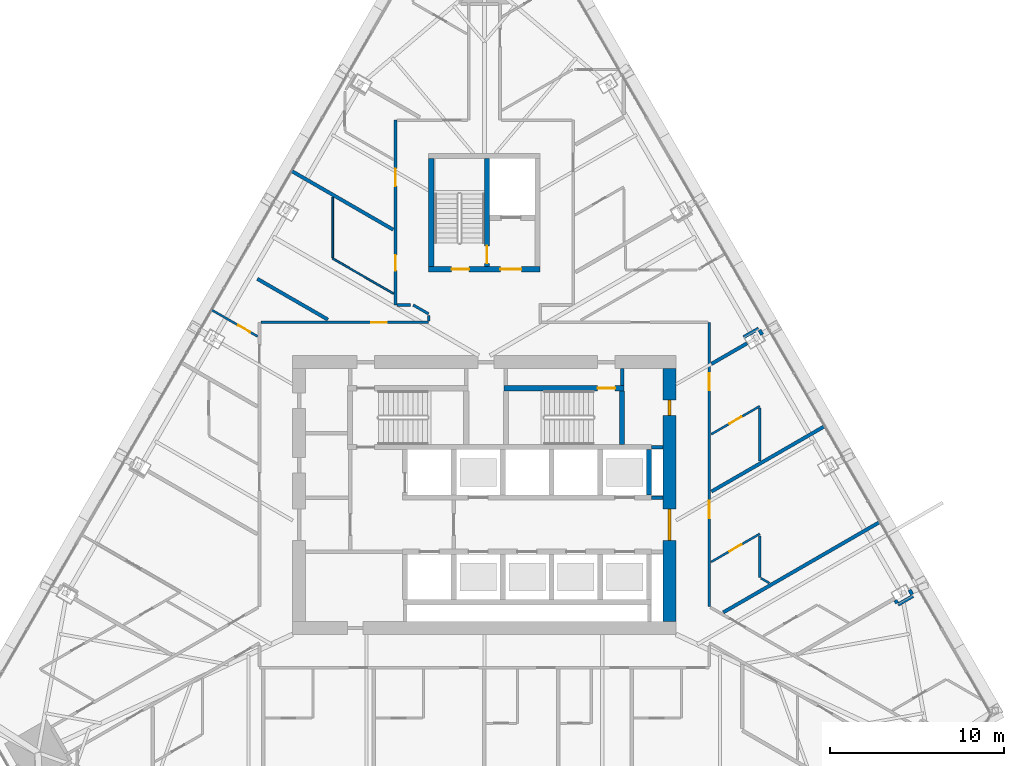
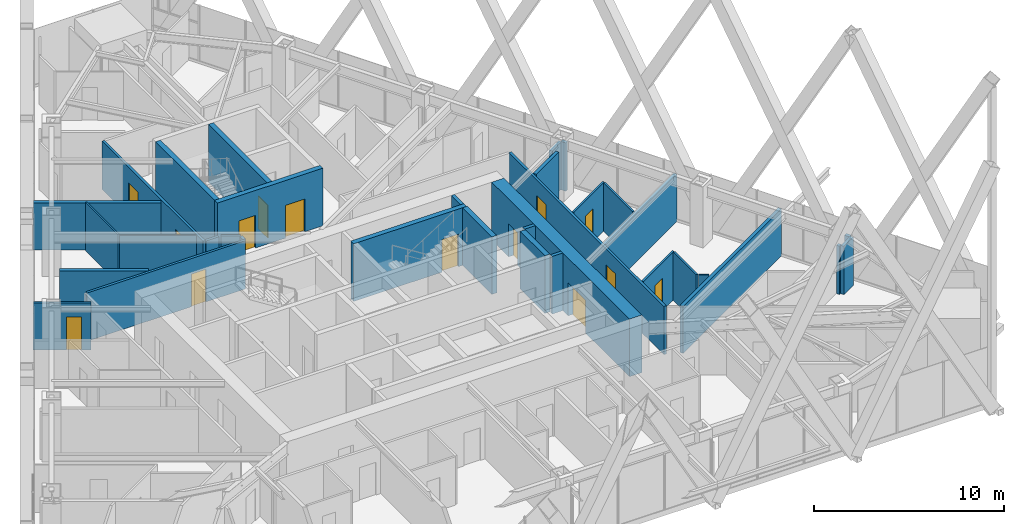
# One storey, part 15 of 19: 34 walls, 14 doors, 14 openings.
"""IFC4 building model written with IfcOpenShell, lengths in metres."""

from ifc_helpers import new_model, si_unit, direction, frame, frame_2d, origin, place, context, subcontext, project, spatial, rectangle, extrude, material, layer, layer_set, type_object, element, fill, save


model = new_model("IFC4")

# Units and contexts
model_context = context("Model", 3, precision=1e-05, world=origin(), true_north=direction((0.0, 1.0)))
body_context = subcontext(model_context, "Body", "Model", "MODEL_VIEW")
ifc_project = project(units=[si_unit("LENGTHUNIT", "METRE"), si_unit("AREAUNIT", "SQUARE_METRE"), si_unit("VOLUMEUNIT", "CUBIC_METRE"), si_unit("PLANEANGLEUNIT", "RADIAN"), si_unit("MASSUNIT", "GRAM", prefix="KILO")], contexts=[model_context])

# Site, building, storey
site_placement = place(None, origin())
site = spatial("IfcSite", under=ifc_project, at=site_placement, CompositionType="ELEMENT")
building_placement = place(site_placement, origin())
building = spatial("IfcBuilding", under=site, at=building_placement, Name="Firuza Gate Tower and Library", CompositionType="ELEMENT")
storey_placement = place(building_placement, frame((0.0, 0.0, 218.199951171875)))
storey = spatial("IfcBuildingStorey", under=building, at=storey_placement, Name="L51", CompositionType="ELEMENT", Elevation=218.199951171875)

# Walls
ifc_material_1 = material(Name="Plasterboard on steel studs", Category="steel")
ifc_layer_1 = layer(ifc_material_1, 0.199951171875)
ifc_layer_set_1 = layer_set([ifc_layer_1], Name="Core partition 200 EI 120")
wall_type_1 = type_object("IfcWallType", Name="Core partition 200 EI 120", PredefinedType="PARTITIONING", material=ifc_layer_set_1)
for number, where, z_axis, x_axis, name in (
    (1, (84.60009765625, 74.85009765625, 0.0), (0.0, 0.0, 1.0), (1.0, 0.0, 0.0), "Core partition L51 4"),
    (2, (84.60009765625, 77.75, 0.0), (0.0, 0.0, 1.0), (1.0, 0.0, 0.0), "Core partition L51 5"),
):
    element("IfcWall", number, at=place(storey_placement, frame(where, z_axis=z_axis, x_axis=x_axis)), inside=storey, type_object=wall_type_1, Name=name, PredefinedType="PARTITIONING", context=body_context, shape_type="SweptSolid", body=[
        extrude(rectangle(XDim=0.64990234375, YDim=0.199951171875, at=frame_2d((0.324951171875, 0.0))), origin(), (0.0, 0.0, 1.0), 3.699951171875),
    ])
ifc_material_2 = material(Name="Plasterboard on steel studs", Category="steel")
ifc_layer_2 = layer(ifc_material_2, 0.199951171875)
ifc_layer_set_2 = layer_set([ifc_layer_2], Name="Core partition 200 EI 60")
wall_type_2 = type_object("IfcWallType", Name="Core partition 200 EI 60", PredefinedType="PARTITIONING", material=ifc_layer_set_2)
wall_1_placement = place(storey_placement, frame((82.89990234375, 81.280029296875, 0.0), z_axis=(0.0, 0.0, 1.0), x_axis=(0.0, 1.0, 0.0)))
element("IfcWall", 3, at=wall_1_placement, inside=storey, type_object=wall_type_2, Name="Core partition L51 13", PredefinedType="PARTITIONING", context=body_context, shape_type="SweptSolid", body=[
    extrude(rectangle(XDim=0.969970703125, YDim=0.199951171875, at=frame_2d((0.48486328125, 0.0))), origin(), (0.0, 0.0, 1.0), 3.699951171875),
])
ifc_material_3 = material(Name="Concrete C80/95", Category="concrete")
ifc_layer_3 = layer(ifc_material_3, 0.300048828125)
ifc_layer_set_3 = layer_set([ifc_layer_3], Name="Core wall 300 C80/95")
wall_type_3 = type_object("IfcWallType", Name="Core wall 300 C80/95", PredefinedType="SHEAR", material=ifc_layer_set_3)
wall_2_placement = place(storey_placement, frame((84.449951171875, 75.0, 0.0), z_axis=(0.0, 0.0, 1.0), x_axis=(0.0, 1.0, 0.0)))
element("IfcWall", 4, at=wall_2_placement, inside=storey, type_object=wall_type_3, Name="Core wall L51 19", PredefinedType="SHEAR", context=body_context, shape_type="SweptSolid", body=[
    extrude(rectangle(XDim=2.60009765625, YDim=0.300048828125, at=frame_2d((1.300048828125, 0.0))), origin(), (0.0, 0.0, 1.0), 3.699951171875),
])

# Wall, opening, door
wall_3_placement = place(storey_placement, frame((76.139892578125, 81.1298828125, 0.0), z_axis=(0.0, 0.0, 1.0), x_axis=(1.0, 0.0, 0.0)))
wall_3 = element("IfcWall", 5, at=wall_3_placement, inside=storey, type_object=wall_type_3, Name="Core wall L51 22", PredefinedType="SHEAR", context=body_context, shape_type="SweptSolid", body=[
    extrude(rectangle(XDim=6.860107421875, YDim=0.300048828125, at=frame_2d((3.43017578125, 0.0))), origin(), (0.0, 0.0, 1.0), 3.699951171875),
])
opening_1_placement = place(wall_3_placement, frame((5.364990234375, 0.0, 0.0)))
opening_1 = element("IfcOpeningElement", 6, at=opening_1_placement, cuts=wall_3, Name="Opening L51-K13", PredefinedType="OPENING", context=body_context, shape_type="SweptSolid", body=[
    extrude(rectangle(XDim=1.0, YDim=2.10009765625, at=frame_2d((0.5, 1.050048828125))), frame((0.0, 0.16015625, 0.0), z_axis=(0.0, -1.0, 0.0), x_axis=(1.0, 0.0, 0.0)), (0.0, 0.0, 1.0), 0.320068359375),
])
ifc_material_4 = material(Name="Steel", Category="steel")
door_type_1 = type_object("IfcDoorType", Name="Fire door 1000x2100 FD90", OperationType="NOTDEFINED", PredefinedType="DOOR", material=ifc_material_4)
door_1_placement = place(opening_1_placement, origin())
door_1 = element("IfcDoor", 7, at=door_1_placement, inside=storey, type_object=door_type_1, Name="Door L51-K13", OperationType="SINGLE_SWING_RIGHT", OverallHeight=2.10009765625, OverallWidth=1.0, PredefinedType="DOOR", context=body_context, shape_type="SweptSolid", body=[
    extrude(rectangle(XDim=1.0, YDim=2.10009765625, at=frame_2d((0.5, 1.050048828125))), frame((0.0, 0.02490234375, 0.0), z_axis=(0.0, -1.0, 0.0), x_axis=(1.0, 0.0, 0.0)), (0.0, 0.0, 1.0), 0.050048828125),
])
fill(opening_1, door_1)

# Wall
wall_4_placement = place(storey_placement, frame((82.89990234375, 77.89990234375, 0.0), z_axis=(0.0, 0.0, 1.0), x_axis=(0.0, 1.0, 0.0)))
element("IfcWall", 8, at=wall_4_placement, inside=storey, type_object=wall_type_3, Name="Core wall L51 26", PredefinedType="SHEAR", context=body_context, shape_type="SweptSolid", body=[
    extrude(rectangle(XDim=3.080078125, YDim=0.300048828125, at=frame_2d((1.5400390625, 0.0))), origin(), (0.0, 0.0, 1.0), 3.699951171875),
])

# Wall, openings, doors
wall_5_placement = place(storey_placement, frame((71.800048828125, 87.949951171875, 0.0), z_axis=(0.0, 0.0, 1.0), x_axis=(1.0, 0.0, 0.0)))
wall_5 = element("IfcWall", 9, at=wall_5_placement, inside=storey, type_object=wall_type_3, Name="Core wall L51 27", PredefinedType="SHEAR", context=body_context, shape_type="SweptSolid", body=[
    extrude(rectangle(XDim=6.39990234375, YDim=0.300048828125, at=frame_2d((3.199951171875, 0.0))), origin(), (0.0, 0.0, 1.0), 3.699951171875),
])
opening_2_placement = place(wall_5_placement, frame((1.324951171875, 0.0, 0.0)))
opening_2 = element("IfcOpeningElement", 10, at=opening_2_placement, cuts=wall_5, Name="Opening L51-K15", PredefinedType="OPENING", context=body_context, shape_type="SweptSolid", body=[
    extrude(rectangle(XDim=1.0, YDim=2.10009765625, at=frame_2d((0.5, 1.050048828125))), frame((0.0, 0.16015625, 0.0), z_axis=(0.0, -1.0, 0.0), x_axis=(1.0, 0.0, 0.0)), (0.0, 0.0, 1.0), 0.320068359375),
])
opening_3_placement = place(wall_5_placement, frame((4.125, 0.0, 0.0)))
opening_3 = element("IfcOpeningElement", 11, at=opening_3_placement, cuts=wall_5, Name="Opening L51-K17", PredefinedType="OPENING", context=body_context, shape_type="SweptSolid", body=[
    extrude(rectangle(XDim=1.199951171875, YDim=2.10009765625, at=frame_2d((0.60009765625, 1.050048828125))), frame((0.0, 0.16015625, 0.0), z_axis=(0.0, -1.0, 0.0), x_axis=(1.0, 0.0, 0.0)), (0.0, 0.0, 1.0), 0.320068359375),
])
door_2_placement = place(opening_2_placement, origin())
door_2 = element("IfcDoor", 12, at=door_2_placement, inside=storey, type_object=door_type_1, Name="Door L51-K15", OperationType="SINGLE_SWING_RIGHT", OverallHeight=2.10009765625, OverallWidth=1.0, PredefinedType="DOOR", context=body_context, shape_type="SweptSolid", body=[
    extrude(rectangle(XDim=1.0, YDim=2.10009765625, at=frame_2d((0.5, 1.050048828125))), frame((0.0, 0.02490234375, 0.0), z_axis=(0.0, -1.0, 0.0), x_axis=(1.0, 0.0, 0.0)), (0.0, 0.0, 1.0), 0.050048828125),
])
fill(opening_2, door_2)
ifc_material_5 = material(Name="Steel", Category="steel")
door_type_2 = type_object("IfcDoorType", Name="Fire door 1200x2100 FD30S", OperationType="NOTDEFINED", PredefinedType="DOOR", material=ifc_material_5)
door_3_placement = place(opening_3_placement, origin())
door_3 = element("IfcDoor", 13, at=door_3_placement, inside=storey, type_object=door_type_2, Name="Door L51-K17", OperationType="SINGLE_SWING_RIGHT", OverallHeight=2.10009765625, OverallWidth=1.199951171875, PredefinedType="DOOR", context=body_context, shape_type="SweptSolid", body=[
    extrude(rectangle(XDim=1.199951171875, YDim=2.10009765625, at=frame_2d((0.60009765625, 1.050048828125))), frame((0.0, 0.02490234375, 0.0), z_axis=(0.0, -1.0, 0.0), x_axis=(1.0, 0.0, 0.0)), (0.0, 0.0, 1.0), 0.050048828125),
])
fill(opening_3, door_3)

# Wall
wall_6_placement = place(storey_placement, frame((71.949951171875, 88.10009765625, 0.0), z_axis=(0.0, 0.0, 1.0), x_axis=(0.0, 1.0, 0.0)))
element("IfcWall", 14, at=wall_6_placement, inside=storey, type_object=wall_type_3, Name="Core wall L51 29", PredefinedType="SHEAR", context=body_context, shape_type="SweptSolid", body=[
    extrude(rectangle(XDim=6.199951171875, YDim=0.300048828125, at=frame_2d((3.10009765625, 0.0))), origin(), (0.0, 0.0, 1.0), 3.699951171875),
])

# Wall, opening, door
wall_7_placement = place(storey_placement, frame((75.14990234375, 88.10009765625, 0.0), z_axis=(0.0, 0.0, 1.0), x_axis=(0.0, 1.0, 0.0)))
wall_7 = element("IfcWall", 15, at=wall_7_placement, inside=storey, type_object=wall_type_3, Name="Core wall L51 32", PredefinedType="SHEAR", context=body_context, shape_type="SweptSolid", body=[
    extrude(rectangle(XDim=6.199951171875, YDim=0.300048828125, at=frame_2d((3.10009765625, 0.0))), origin(), (0.0, 0.0, 1.0), 3.699951171875),
])
opening_4_placement = place(wall_7_placement, frame((0.18505859375, 0.0, 0.0)))
opening_4 = element("IfcOpeningElement", 16, at=opening_4_placement, cuts=wall_7, Name="Opening L51-K16", PredefinedType="OPENING", context=body_context, shape_type="SweptSolid", body=[
    extrude(rectangle(XDim=1.0, YDim=2.10009765625, at=frame_2d((0.5, 1.050048828125))), frame((0.0, 0.16015625, 0.0), z_axis=(0.0, -1.0, 0.0), x_axis=(1.0, 0.0, 0.0)), (0.0, 0.0, 1.0), 0.320068359375),
])
door_4_placement = place(opening_4_placement, origin())
door_4 = element("IfcDoor", 17, at=door_4_placement, inside=storey, type_object=door_type_1, Name="Door L51-K16", OperationType="SINGLE_SWING_LEFT", OverallHeight=2.10009765625, OverallWidth=1.0, PredefinedType="DOOR", context=body_context, shape_type="SweptSolid", body=[
    extrude(rectangle(XDim=1.0, YDim=2.10009765625, at=frame_2d((0.5, 1.050048828125))), frame((0.0, 0.02490234375, 0.0), z_axis=(0.0, -1.0, 0.0), x_axis=(1.0, 0.0, 0.0)), (0.0, 0.0, 1.0), 0.050048828125),
])
fill(opening_4, door_4)

# Wall, openings, doors
ifc_material_6 = material(Name="Concrete C80/95", Category="concrete")
ifc_layer_4 = layer(ifc_material_6, 0.75)
ifc_layer_set_4 = layer_set([ifc_layer_4], Name="Core wall 750 C80/95")
wall_type_4 = type_object("IfcWallType", Name="Core wall 750 C80/95", PredefinedType="SHEAR", material=ifc_layer_set_4)
wall_8_placement = place(storey_placement, frame((85.625, 67.75, 0.0), z_axis=(0.0, 0.0, 1.0), x_axis=(0.0, 1.0, 0.0)))
wall_8 = element("IfcWall", 18, at=wall_8_placement, inside=storey, type_object=wall_type_4, Name="Core wall L51 4", PredefinedType="SHEAR", context=body_context, shape_type="SweptSolid", body=[
    extrude(rectangle(XDim=14.5, YDim=0.75, at=frame_2d((7.25, 0.0))), origin(), (0.0, 0.0, 1.0), 3.699951171875),
])
opening_5_placement = place(wall_8_placement, frame((4.64990234375, 0.0, 0.0)))
opening_5 = element("IfcOpeningElement", 19, at=opening_5_placement, cuts=wall_8, Name="Opening L51-K21", PredefinedType="OPENING", context=body_context, shape_type="SweptSolid", body=[
    extrude(rectangle(XDim=1.800048828125, YDim=2.10009765625, at=frame_2d((0.89990234375, 1.050048828125))), frame((0.0, 0.385009765625, 0.0), z_axis=(0.0, -1.0, 0.0), x_axis=(1.0, 0.0, 0.0)), (0.0, 0.0, 1.0), 0.77001953125),
])
opening_6_placement = place(wall_8_placement, frame((11.800048828125, 0.0, 0.0)))
opening_6 = element("IfcOpeningElement", 20, at=opening_6_placement, cuts=wall_8, Name="Opening L51-K26", PredefinedType="OPENING", context=body_context, shape_type="SweptSolid", body=[
    extrude(rectangle(XDim=0.89990234375, YDim=2.10009765625, at=frame_2d((0.449951171875, 1.050048828125))), frame((0.0, 0.385009765625, 0.0), z_axis=(0.0, -1.0, 0.0), x_axis=(1.0, 0.0, 0.0)), (0.0, 0.0, 1.0), 0.77001953125),
])
ifc_material_7 = material(Name="Steel", Category="steel")
door_type_3 = type_object("IfcDoorType", Name="Fire door 1800x2100 FD30S", OperationType="NOTDEFINED", PredefinedType="DOOR", material=ifc_material_7)
door_5_placement = place(opening_5_placement, origin())
door_5 = element("IfcDoor", 21, at=door_5_placement, inside=storey, type_object=door_type_3, Name="Door L51-K21", OperationType="SINGLE_SWING_RIGHT", OverallHeight=2.10009765625, OverallWidth=1.800048828125, PredefinedType="DOOR", context=body_context, shape_type="SweptSolid", body=[
    extrude(rectangle(XDim=1.800048828125, YDim=2.10009765625, at=frame_2d((0.89990234375, 1.050048828125))), frame((0.0, 0.094970703125, 0.0), z_axis=(0.0, -1.0, 0.0), x_axis=(1.0, 0.0, 0.0)), (0.0, 0.0, 1.0), 0.18994140625),
])
fill(opening_5, door_5)
ifc_material_8 = material(Name="Steel", Category="steel")
door_type_4 = type_object("IfcDoorType", Name="Fire door 900x2100 FD30S", OperationType="NOTDEFINED", PredefinedType="DOOR", material=ifc_material_8)
door_6_placement = place(opening_6_placement, origin())
door_6 = element("IfcDoor", 22, at=door_6_placement, inside=storey, type_object=door_type_4, Name="Door L51-K26", OperationType="SINGLE_SWING_LEFT", OverallHeight=2.10009765625, OverallWidth=0.89990234375, PredefinedType="DOOR", context=body_context, shape_type="SweptSolid", body=[
    extrude(rectangle(XDim=0.89990234375, YDim=2.10009765625, at=frame_2d((0.449951171875, 1.050048828125))), frame((0.0, 0.094970703125, 0.0), z_axis=(0.0, -1.0, 0.0), x_axis=(1.0, 0.0, 0.0)), (0.0, 0.0, 1.0), 0.18994140625),
])
fill(opening_6, door_6)

# Wall, opening, door
ifc_material_9 = material(Name="Gypsum board partition")
ifc_layer_5 = layer(ifc_material_9, 0.14990234375)
ifc_layer_set_5 = layer_set([ifc_layer_5], Name="Corridor wall 150 double board on steel studs")
wall_type_5 = type_object("IfcWallType", Name="Corridor wall 150 double board on steel studs", PredefinedType="PARTITIONING", material=ifc_layer_set_5)
wall_9_placement = place(storey_placement, frame((62.175048828125, 84.89990234375, 0.0), z_axis=(0.0, 0.0, 1.0), x_axis=(1.0, 0.0, 0.0)))
wall_9 = element("IfcWall", 23, at=wall_9_placement, inside=storey, type_object=wall_type_5, Name="f:L51:w009", PredefinedType="PARTITIONING", context=body_context, shape_type="SweptSolid", body=[
    extrude(rectangle(XDim=9.625, YDim=0.14990234375, at=frame_2d((4.8125, 0.0))), origin(), (0.0, 0.0, 1.0), 3.09716796875),
])
opening_7_placement = place(wall_9_placement, frame((6.326171875, 0.0, 0.0)))
opening_7 = element("IfcOpeningElement", 24, at=opening_7_placement, cuts=wall_9, Name="Opening L51-11", PredefinedType="OPENING", context=body_context, shape_type="SweptSolid", body=[
    extrude(rectangle(XDim=0.89990234375, YDim=2.10009765625, at=frame_2d((0.449951171875, 1.050048828125))), frame((0.0, 0.0849609375, 0.0), z_axis=(0.0, -1.0, 0.0), x_axis=(1.0, 0.0, 0.0)), (0.0, 0.0, 1.0), 0.169921875),
])
ifc_material_10 = material(Name="Steel door and timber leaf", Category="steel")
door_type_5 = type_object("IfcDoorType", Name="Fire door 900 x 2100 steel frame, timber leaf", OperationType="NOTDEFINED", PredefinedType="DOOR", material=ifc_material_10)
door_7_placement = place(opening_7_placement, origin())
door_7 = element("IfcDoor", 25, at=door_7_placement, inside=storey, type_object=door_type_5, Name="f:L51:d011", OperationType="SINGLE_SWING_LEFT", OverallHeight=2.10009765625, OverallWidth=0.89990234375, PredefinedType="DOOR", context=body_context, shape_type="SweptSolid", body=[
    extrude(rectangle(XDim=0.89990234375, YDim=2.10009765625, at=frame_2d((0.449951171875, 1.050048828125))), frame((0.0, 0.02490234375, 0.0), z_axis=(0.0, -1.0, 0.0), x_axis=(1.0, 0.0, 0.0)), (0.0, 0.0, 1.0), 0.050048828125),
])
fill(opening_7, door_7)

# Wall
wall_10_placement = place(storey_placement, frame((69.9755859375, 85.89990234375, 0.0), z_axis=(0.0, 0.0, 1.0), x_axis=(1.0, 0.0, 0.0)))
element("IfcWall", 26, at=wall_10_placement, inside=storey, type_object=wall_type_5, Name="f:L51:w011", PredefinedType="PARTITIONING", context=body_context, shape_type="SweptSolid", body=[
    extrude(rectangle(XDim=0.79248046875, YDim=0.14990234375, at=frame_2d((0.396240234375, 0.0))), origin(), (0.0, 0.0, 1.0), 3.09716796875),
])

# Wall, openings, doors
wall_11_placement = place(storey_placement, frame((87.89990234375, 84.89990234375, 0.0), z_axis=(0.0, 0.0, 1.0), x_axis=(0.0, -1.0, 0.0)))
wall_11 = element("IfcWall", 27, at=wall_11_placement, inside=storey, type_object=wall_type_5, Name="f:L51:w055", PredefinedType="PARTITIONING", context=body_context, shape_type="SweptSolid", body=[
    extrude(rectangle(XDim=16.30859375, YDim=0.14990234375, at=frame_2d((8.154296875, 0.0))), origin(), (0.0, 0.0, 1.0), 3.10009765625),
])
opening_8_placement = place(wall_11_placement, frame((2.90380859375, 0.0, 0.0)))
opening_8 = element("IfcOpeningElement", 28, at=opening_8_placement, cuts=wall_11, Name="Opening L51-30", PredefinedType="OPENING", context=body_context, shape_type="SweptSolid", body=[
    extrude(rectangle(XDim=1.0, YDim=2.10009765625, at=frame_2d((0.5, 1.050048828125))), frame((0.0, 0.0849609375, 0.0), z_axis=(0.0, -1.0, 0.0), x_axis=(1.0, 0.0, 0.0)), (0.0, 0.0, 1.0), 0.169921875),
])
opening_9_placement = place(wall_11_placement, frame((10.2265625, 0.0, 0.0)))
opening_9 = element("IfcOpeningElement", 29, at=opening_9_placement, cuts=wall_11, Name="Opening L51-31", PredefinedType="OPENING", context=body_context, shape_type="SweptSolid", body=[
    extrude(rectangle(XDim=1.0, YDim=2.10009765625, at=frame_2d((0.5, 1.050048828125))), frame((0.0, 0.0849609375, 0.0), z_axis=(0.0, -1.0, 0.0), x_axis=(1.0, 0.0, 0.0)), (0.0, 0.0, 1.0), 0.169921875),
])
ifc_material_11 = material(Name="Steel door and timber leaf", Category="steel")
door_type_6 = type_object("IfcDoorType", Name="Fire door 1000 x 2100 steel frame, timber leaf", OperationType="NOTDEFINED", PredefinedType="DOOR", material=ifc_material_11)
door_8_placement = place(opening_8_placement, origin())
door_8 = element("IfcDoor", 30, at=door_8_placement, inside=storey, type_object=door_type_6, Name="f:L51:d030", OperationType="SINGLE_SWING_LEFT", OverallHeight=2.10009765625, OverallWidth=1.0, PredefinedType="DOOR", context=body_context, shape_type="SweptSolid", body=[
    extrude(rectangle(XDim=1.0, YDim=2.10009765625, at=frame_2d((0.5, 1.050048828125))), frame((0.0, 0.02490234375, 0.0), z_axis=(0.0, -1.0, 0.0), x_axis=(1.0, 0.0, 0.0)), (0.0, 0.0, 1.0), 0.050048828125),
])
fill(opening_8, door_8)
door_9_placement = place(opening_9_placement, origin())
door_9 = element("IfcDoor", 31, at=door_9_placement, inside=storey, type_object=door_type_6, Name="f:L51:d031", OperationType="SINGLE_SWING_LEFT", OverallHeight=2.10009765625, OverallWidth=1.0, PredefinedType="DOOR", context=body_context, shape_type="SweptSolid", body=[
    extrude(rectangle(XDim=1.0, YDim=2.10009765625, at=frame_2d((0.5, 1.050048828125))), frame((0.0, 0.02490234375, 0.0), z_axis=(0.0, -1.0, 0.0), x_axis=(1.0, 0.0, 0.0)), (0.0, 0.0, 1.0), 0.050048828125),
])
fill(opening_9, door_9)

# Wall
wall_12_placement = place(storey_placement, frame((71.800048828125, 84.97509765625, 0.0), z_axis=(0.0, 0.0, 1.0), x_axis=(0.0, 1.0, 0.0)))
element("IfcWall", 32, at=wall_12_placement, inside=storey, type_object=wall_type_5, Name="f:L51:w072", PredefinedType="PARTITIONING", context=body_context, shape_type="SweptSolid", body=[
    extrude(rectangle(XDim=0.3291015625, YDim=0.14990234375, at=frame_2d((0.16455078125, 0.0))), origin(), (0.0, 0.0, 1.0), 3.10009765625),
])

# Wall, openings, doors
wall_13_placement = place(storey_placement, frame((69.89990234375, 85.900390625, 0.0), z_axis=(0.0, 0.0, 1.0), x_axis=(0.0, 1.0, 0.0)))
wall_13 = element("IfcWall", 33, at=wall_13_placement, inside=storey, type_object=wall_type_5, Name="f:L51:w075", PredefinedType="PARTITIONING", context=body_context, shape_type="SweptSolid", body=[
    extrude(rectangle(XDim=10.599609375, YDim=0.14990234375, at=frame_2d((5.2998046875, 0.0))), origin(), (0.0, 0.0, 1.0), 3.09716796875),
])
opening_10_placement = place(wall_13_placement, frame((1.96826171875, 0.0, 0.0)))
opening_10 = element("IfcOpeningElement", 34, at=opening_10_placement, cuts=wall_13, Name="Opening L51-34", PredefinedType="OPENING", context=body_context, shape_type="SweptSolid", body=[
    extrude(rectangle(XDim=0.89990234375, YDim=2.10009765625, at=frame_2d((0.449951171875, 1.050048828125))), frame((0.0, 0.0849609375, 0.0), z_axis=(0.0, -1.0, 0.0), x_axis=(1.0, 0.0, 0.0)), (0.0, 0.0, 1.0), 0.169921875),
])
opening_11_placement = place(wall_13_placement, frame((6.82470703125, 0.0, 0.0)))
opening_11 = element("IfcOpeningElement", 35, at=opening_11_placement, cuts=wall_13, Name="Opening L51-35", PredefinedType="OPENING", context=body_context, shape_type="SweptSolid", body=[
    extrude(rectangle(XDim=1.0, YDim=2.10009765625, at=frame_2d((0.5, 1.050048828125))), frame((0.0, 0.0849609375, 0.0), z_axis=(0.0, -1.0, 0.0), x_axis=(1.0, 0.0, 0.0)), (0.0, 0.0, 1.0), 0.169921875),
])
door_10_placement = place(opening_11_placement, origin())
door_10 = element("IfcDoor", 36, at=door_10_placement, inside=storey, type_object=door_type_6, Name="f:L51:d035", OperationType="SINGLE_SWING_RIGHT", OverallHeight=2.10009765625, OverallWidth=1.0, PredefinedType="DOOR", context=body_context, shape_type="SweptSolid", body=[
    extrude(rectangle(XDim=1.0, YDim=2.10009765625, at=frame_2d((0.5, 1.050048828125))), frame((0.0, 0.02490234375, 0.0), z_axis=(0.0, -1.0, 0.0), x_axis=(1.0, 0.0, 0.0)), (0.0, 0.0, 1.0), 0.050048828125),
])
fill(opening_11, door_10)
door_11_placement = place(opening_10_placement, origin())
door_11 = element("IfcDoor", 37, at=door_11_placement, inside=storey, type_object=door_type_5, Name="f:L51:d034", OperationType="SINGLE_SWING_RIGHT", OverallHeight=2.10009765625, OverallWidth=0.89990234375, PredefinedType="DOOR", context=body_context, shape_type="SweptSolid", body=[
    extrude(rectangle(XDim=0.89990234375, YDim=2.10009765625, at=frame_2d((0.449951171875, 1.050048828125))), frame((0.0, 0.02490234375, 0.0), z_axis=(0.0, -1.0, 0.0), x_axis=(1.0, 0.0, 0.0)), (0.0, 0.0, 1.0), 0.050048828125),
])
fill(opening_10, door_11)

# Walls
wall_14_placement = place(storey_placement, frame((71.80029296875, 85.39111328125, 0.0), z_axis=(0.0, 0.0, 1.0), x_axis=(-0.866021929094, 0.500006018292, 0.0)))
element("IfcWall", 38, at=wall_14_placement, inside=storey, type_object=wall_type_5, Name="f:L51:w099", PredefinedType="PARTITIONING", context=body_context, shape_type="SweptSolid", body=[
    extrude(rectangle(XDim=1.0185546875, YDim=0.14990234375, at=frame_2d((0.50927734375, 0.0))), origin(), (0.0, 0.0, 1.0), 3.10009765625),
])
ifc_material_12 = material(Name="Gypsum board partition")
ifc_layer_6 = layer(ifc_material_12, 0.199951171875)
ifc_layer_set_6 = layer_set([ifc_layer_6], Name="Demising wall 200 acoustic double stud")
wall_type_6 = type_object("IfcWallType", Name="Demising wall 200 acoustic double stud", PredefinedType="PARTITIONING", material=ifc_layer_set_6)
wall_15_placement = place(storey_placement, frame((98.72705078125, 68.7099609375, 0.0), z_axis=(0.0, 0.0, 1.0), x_axis=(0.866083827272, 0.499898793895, 0.0)))
element("IfcWall", 39, at=wall_15_placement, inside=storey, type_object=wall_type_6, Name="f:L51:w019", PredefinedType="PARTITIONING", context=body_context, shape_type="SweptSolid", body=[
    extrude(rectangle(XDim=0.998779296875, YDim=0.199951171875, at=frame_2d((0.49951171875, 0.0))), origin(), (0.0, 0.0, 1.0), 3.10009765625),
])
wall_16_placement = place(storey_placement, frame((88.710693359375, 68.269775390625, 0.0), z_axis=(0.0, 0.0, 1.0), x_axis=(0.866024593981, 0.500001402618, 0.0)))
element("IfcWall", 40, at=wall_16_placement, inside=storey, type_object=wall_type_6, Name="f:L51:w022", PredefinedType="PARTITIONING", context=body_context, shape_type="SweptSolid", body=[
    extrude(rectangle(XDim=10.35400390625, YDim=0.199951171875, at=frame_2d((5.177001953125, 0.0))), origin(), (0.0, 0.0, 1.0), 3.02197265625),
])
wall_17_placement = place(storey_placement, frame((88.027099609375, 75.1982421875, 0.0), z_axis=(0.0, 0.0, 1.0), x_axis=(0.866029625778, 0.499992687221, 0.0)))
element("IfcWall", 41, at=wall_17_placement, inside=storey, type_object=wall_type_6, Name="f:L51:w024", PredefinedType="PARTITIONING", context=body_context, shape_type="SweptSolid", body=[
    extrude(rectangle(XDim=7.4814453125, YDim=0.199951171875, at=frame_2d((3.74072265625, 0.0))), origin(), (0.0, 0.0, 1.0), 3.02197265625),
])
wall_18_placement = place(storey_placement, frame((88.02685546875, 82.521240234375, 0.0), z_axis=(0.0, 0.0, 1.0), x_axis=(0.866032292145, 0.49998806882, 0.0)))
element("IfcWall", 42, at=wall_18_placement, inside=storey, type_object=wall_type_6, Name="f:L51:w030", PredefinedType="PARTITIONING", context=body_context, shape_type="SweptSolid", body=[
    extrude(rectangle(XDim=2.3603515625, YDim=0.199951171875, at=frame_2d((1.18017578125, 0.0))), origin(), (0.0, 0.0, 1.0), 3.10009765625),
])
wall_19_placement = place(storey_placement, frame((89.87109375, 84.0478515625, 0.0), z_axis=(0.0, 0.0, 1.0), x_axis=(0.866010750942, 0.50002537861, 0.0)))
element("IfcWall", 43, at=wall_19_placement, inside=storey, type_object=wall_type_6, Name="f:L51:w031", PredefinedType="PARTITIONING", context=body_context, shape_type="SweptSolid", body=[
    extrude(rectangle(XDim=1.0, YDim=0.199951171875, at=frame_2d((0.5, 0.0))), origin(), (0.0, 0.0, 1.0), 3.02197265625),
])
wall_20_placement = place(storey_placement, frame((99.5419921875, 69.296142578125, 0.0), z_axis=(0.0, 0.0, 1.0), x_axis=(-0.500005339912, 0.866022320763, 0.0)))
element("IfcWall", 44, at=wall_20_placement, inside=storey, type_object=wall_type_6, Name="f:L51:w087", PredefinedType="PARTITIONING", context=body_context, shape_type="SweptSolid", body=[
    extrude(rectangle(XDim=0.298828125, YDim=0.199951171875, at=frame_2d((0.1494140625, 0.0))), origin(), (0.0, 0.0, 1.0), 3.10009765625),
])
wall_21_placement = place(storey_placement, frame((90.936767578125, 84.200927734375, 0.0), z_axis=(0.0, 0.0, 1.0), x_axis=(-0.500074377092, 0.865982457891, 0.0)))
element("IfcWall", 45, at=wall_21_placement, inside=storey, type_object=wall_type_6, Name="f:L51:w088", PredefinedType="PARTITIONING", context=body_context, shape_type="SweptSolid", body=[
    extrude(rectangle(XDim=0.30029296875, YDim=0.199951171875, at=frame_2d((0.150146484375, 0.0))), origin(), (0.0, 0.0, 1.0), 3.10009765625),
])
wall_22_placement = place(storey_placement, frame((98.676025390625, 68.796142578125, 0.0), z_axis=(0.0, 0.0, 1.0), x_axis=(-0.4999705729, 0.866042392862, 0.0)))
element("IfcWall", 46, at=wall_22_placement, inside=storey, type_object=wall_type_6, Name="f:L51:w090", PredefinedType="PARTITIONING", context=body_context, shape_type="SweptSolid", body=[
    extrude(rectangle(XDim=0.19873046875, YDim=0.199951171875, at=frame_2d((0.099365234375, 0.0))), origin(), (0.0, 0.0, 1.0), 3.10009765625),
])
wall_23_placement = place(storey_placement, frame((69.772705078125, 90.22216796875, 0.0), z_axis=(0.0, 0.0, 1.0), x_axis=(-0.866027185264, 0.499996914373, 0.0)))
element("IfcWall", 47, at=wall_23_placement, inside=storey, type_object=wall_type_6, Name="f:L51:w098", PredefinedType="PARTITIONING", context=body_context, shape_type="SweptSolid", body=[
    extrude(rectangle(XDim=6.724609375, YDim=0.199951171875, at=frame_2d((3.3623046875, 0.0))), origin(), (0.0, 0.0, 1.0), 3.02197265625),
])
wall_24_placement = place(storey_placement, frame((66.022705078125, 85.065185546875, 0.0), z_axis=(0.0, 0.0, 1.0), x_axis=(-0.866034108906, 0.499984921984, 0.0)))
element("IfcWall", 48, at=wall_24_placement, inside=storey, type_object=wall_type_6, Name="f:L51:w101", PredefinedType="PARTITIONING", context=body_context, shape_type="SweptSolid", body=[
    extrude(rectangle(XDim=4.670166015625, YDim=0.199951171875, at=frame_2d((2.3349609375, 0.0))), origin(), (0.0, 0.0, 1.0), 3.10009765625),
])
ifc_material_13 = material(Name="Gypsum board partition")
ifc_layer_7 = layer(ifc_material_13, 0.10009765625)
ifc_layer_set_7 = layer_set([ifc_layer_7], Name="Partition 100 gypsum board on steel studs")
wall_type_7 = type_object("IfcWallType", Name="Partition 100 gypsum board on steel studs", PredefinedType="PARTITIONING", material=ifc_layer_set_7)
wall_25_placement = place(storey_placement, frame((66.300048828125, 88.624267578125, 0.0), z_axis=(0.0, 0.0, 1.0), x_axis=(0.0, 1.0, 0.0)))
element("IfcWall", 49, at=wall_25_placement, inside=storey, type_object=wall_type_7, Name="f:L51:w078", PredefinedType="PARTITIONING", context=body_context, shape_type="SweptSolid", body=[
    extrude(rectangle(XDim=3.45751953125, YDim=0.10009765625, at=frame_2d((1.728759765625, 0.0))), origin(), (0.0, 0.0, 1.0), 3.10009765625),
])
wall_26_placement = place(storey_placement, frame((69.79931640625, 86.54638671875, 0.0), z_axis=(0.0, 0.0, 1.0), x_axis=(-0.866025579307, 0.499999695987, 0.0)))
element("IfcWall", 50, at=wall_26_placement, inside=storey, type_object=wall_type_7, Name="f:L51:w100", PredefinedType="PARTITIONING", context=body_context, shape_type="SweptSolid", body=[
    extrude(rectangle(XDim=4.0400390625, YDim=0.10009765625, at=frame_2d((2.02001953125, 0.0))), origin(), (0.0, 0.0, 1.0), 3.10009765625),
])

# Wall, opening, door
ifc_material_14 = material(Name="Gypsum board partition")
ifc_layer_8 = layer(ifc_material_14, 0.1201171875)
ifc_layer_set_8 = layer_set([ifc_layer_8], Name="Wet-area partition 120 moisture-resistant board")
wall_type_8 = type_object("IfcWallType", Name="Wet-area partition 120 moisture-resistant board", PredefinedType="PARTITIONING", material=ifc_layer_set_8)
wall_27_placement = place(storey_placement, frame((90.800048828125, 72.771484375, 0.0), z_axis=(0.0, 0.0, 1.0), x_axis=(-0.86604299788, -0.499969524894, 0.0)))
wall_27 = element("IfcWall", 51, at=wall_27_placement, inside=storey, type_object=wall_type_8, Name="f:L51:w023", PredefinedType="PARTITIONING", context=body_context, shape_type="SweptSolid", body=[
    extrude(rectangle(XDim=3.221923828125, YDim=0.1201171875, at=frame_2d((1.61083984375, 0.0))), origin(), (0.0, 0.0, 1.0), 3.10009765625),
])
opening_12_placement = place(wall_27_placement, frame((1.2109375, 0.0, 0.0)))
opening_12 = element("IfcOpeningElement", 52, at=opening_12_placement, cuts=wall_27, Name="Opening L51-18", PredefinedType="OPENING", context=body_context, shape_type="SweptSolid", body=[
    extrude(rectangle(XDim=0.800048828125, YDim=2.10009765625, at=frame_2d((0.39990234375, 1.050048828125))), frame((0.0, 0.070068359375, 0.0), z_axis=(0.0, -1.0, 0.0), x_axis=(1.0, 0.0, 0.0)), (0.0, 0.0, 1.0), 0.14013671875),
])
ifc_material_15 = material(Name="Timber door", Category="wood")
door_type_7 = type_object("IfcDoorType", Name="Door 800 x 2100 timber leaf", OperationType="NOTDEFINED", PredefinedType="DOOR", material=ifc_material_15)
door_12_placement = place(opening_12_placement, origin())
door_12 = element("IfcDoor", 53, at=door_12_placement, inside=storey, type_object=door_type_7, Name="f:L51:d018", OperationType="SINGLE_SWING_RIGHT", OverallHeight=2.10009765625, OverallWidth=0.800048828125, PredefinedType="DOOR", context=body_context, shape_type="SweptSolid", body=[
    extrude(rectangle(XDim=0.800048828125, YDim=2.10009765625, at=frame_2d((0.39990234375, 1.050048828125))), frame((0.0, 0.02490234375, 0.0), z_axis=(0.0, -1.0, 0.0), x_axis=(1.0, 0.0, 0.0)), (0.0, 0.0, 1.0), 0.050048828125),
])
fill(opening_12, door_12)

wall_28_placement = place(storey_placement, frame((90.800048828125, 80.0947265625, 0.0), z_axis=(0.0, 0.0, 1.0), x_axis=(-0.866029130051, -0.499993545862, 0.0)))
wall_28 = element("IfcWall", 54, at=wall_28_placement, inside=storey, type_object=wall_type_8, Name="f:L51:w027", PredefinedType="PARTITIONING", context=body_context, shape_type="SweptSolid", body=[
    extrude(rectangle(XDim=3.22216796875, YDim=0.1201171875, at=frame_2d((1.611083984375, 0.0))), origin(), (0.0, 0.0, 1.0), 3.10009765625),
])
opening_13_placement = place(wall_28_placement, frame((1.2109375, 0.0, 0.0)))
opening_13 = element("IfcOpeningElement", 55, at=opening_13_placement, cuts=wall_28, Name="Opening L51-20", PredefinedType="OPENING", context=body_context, shape_type="SweptSolid", body=[
    extrude(rectangle(XDim=0.800048828125, YDim=2.10009765625, at=frame_2d((0.39990234375, 1.050048828125))), frame((0.0, 0.070068359375, 0.0), z_axis=(0.0, -1.0, 0.0), x_axis=(1.0, 0.0, 0.0)), (0.0, 0.0, 1.0), 0.14013671875),
])
door_13_placement = place(opening_13_placement, origin())
door_13 = element("IfcDoor", 56, at=door_13_placement, inside=storey, type_object=door_type_7, Name="f:L51:d020", OperationType="SINGLE_SWING_RIGHT", OverallHeight=2.10009765625, OverallWidth=0.800048828125, PredefinedType="DOOR", context=body_context, shape_type="SweptSolid", body=[
    extrude(rectangle(XDim=0.800048828125, YDim=2.10009765625, at=frame_2d((0.39990234375, 1.050048828125))), frame((0.0, 0.02490234375, 0.0), z_axis=(0.0, -1.0, 0.0), x_axis=(1.0, 0.0, 0.0)), (0.0, 0.0, 1.0), 0.050048828125),
])
fill(opening_13, door_13)

# Walls
wall_29_placement = place(storey_placement, frame((90.800048828125, 70.265625, 0.0), z_axis=(0.0, 0.0, 1.0), x_axis=(0.0, 1.0, 0.0)))
element("IfcWall", 57, at=wall_29_placement, inside=storey, type_object=wall_type_8, Name="f:L51:w051", PredefinedType="PARTITIONING", context=body_context, shape_type="SweptSolid", body=[
    extrude(rectangle(XDim=2.39697265625, YDim=0.1201171875, at=frame_2d((1.198486328125, 0.0))), origin(), (0.0, 0.0, 1.0), 3.10009765625),
])
wall_30_placement = place(storey_placement, frame((90.800048828125, 76.954833984375, 0.0), z_axis=(0.0, 0.0, 1.0), x_axis=(0.0, 1.0, 0.0)))
element("IfcWall", 58, at=wall_30_placement, inside=storey, type_object=wall_type_8, Name="f:L51:w052", PredefinedType="PARTITIONING", context=body_context, shape_type="SweptSolid", body=[
    extrude(rectangle(XDim=3.030517578125, YDim=0.1201171875, at=frame_2d((1.51513671875, 0.0))), origin(), (0.0, 0.0, 1.0), 3.10009765625),
])
wall_31_placement = place(storey_placement, frame((91.348876953125, 69.948974609375, 0.0), z_axis=(0.0, 0.0, 1.0), x_axis=(-0.865998287773, 0.500046963369, 0.0)))
element("IfcWall", 59, at=wall_31_placement, inside=storey, type_object=wall_type_8, Name="f:L51:w104", PredefinedType="PARTITIONING", context=body_context, shape_type="SweptSolid", body=[
    extrude(rectangle(XDim=0.564453125, YDim=0.1201171875, at=frame_2d((0.2822265625, 0.0))), origin(), (0.0, 0.0, 1.0), 3.10009765625),
])

# Wall, opening, door
wall_32_placement = place(storey_placement, frame((59.3515625, 85.621337890625, 0.0), z_axis=(0.0, 0.0, 1.0), x_axis=(0.866010799848, -0.500025293908, 0.0)))
wall_32 = element("IfcWall", 60, at=wall_32_placement, inside=storey, type_object=wall_type_8, Name="f:L51:w106", PredefinedType="PARTITIONING", context=body_context, shape_type="SweptSolid", body=[
    extrude(rectangle(XDim=3.047119140625, YDim=0.1201171875, at=frame_2d((1.5234375, 0.0))), origin(), (0.0, 0.0, 1.0), 3.02197265625),
])
opening_14_placement = place(wall_32_placement, frame((1.75341796875, 0.0, 0.0)))
opening_14 = element("IfcOpeningElement", 61, at=opening_14_placement, cuts=wall_32, Name="Opening L51-42", PredefinedType="OPENING", context=body_context, shape_type="SweptSolid", body=[
    extrude(rectangle(XDim=0.800048828125, YDim=2.10009765625, at=frame_2d((0.39990234375, 1.050048828125))), frame((0.0, 0.070068359375, 0.0), z_axis=(0.0, -1.0, 0.0), x_axis=(1.0, 0.0, 0.0)), (0.0, 0.0, 1.0), 0.14013671875),
])
door_14_placement = place(opening_14_placement, origin())
door_14 = element("IfcDoor", 62, at=door_14_placement, inside=storey, type_object=door_type_7, Name="f:L51:d042", OperationType="SINGLE_SWING_RIGHT", OverallHeight=2.10009765625, OverallWidth=0.800048828125, PredefinedType="DOOR", context=body_context, shape_type="SweptSolid", body=[
    extrude(rectangle(XDim=0.800048828125, YDim=2.10009765625, at=frame_2d((0.39990234375, 1.050048828125))), frame((0.0, 0.02490234375, 0.0), z_axis=(0.0, -1.0, 0.0), x_axis=(1.0, 0.0, 0.0)), (0.0, 0.0, 1.0), 0.050048828125),
])
fill(opening_14, door_14)

save(model, "model.ifc")
